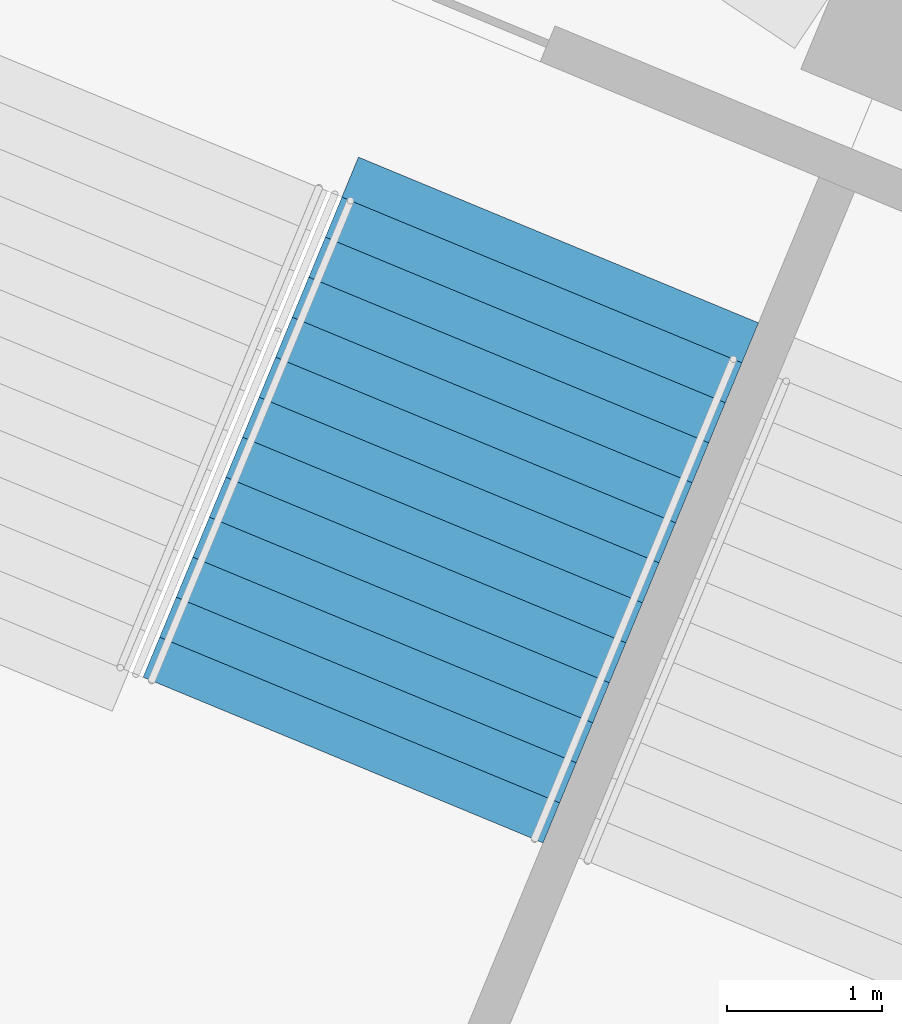
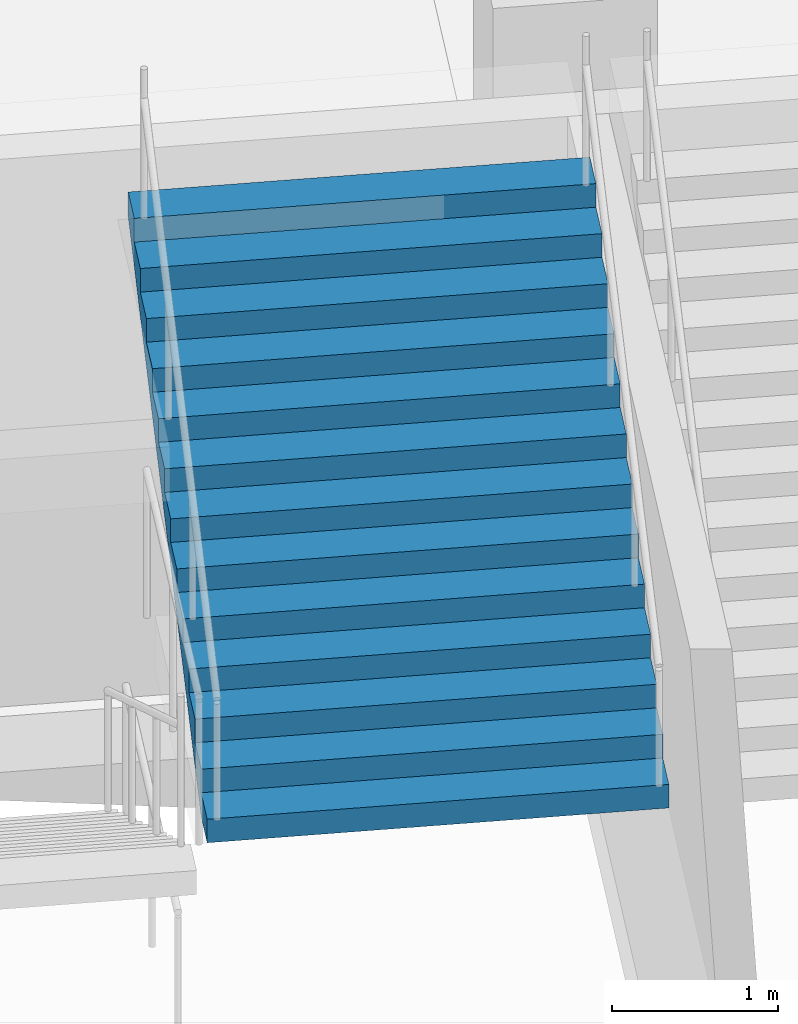
# One storey, part 133 of 249: 1 stair flight, 1 element without a shape of its own.
"""IFC4 building model written with IfcOpenShell, lengths in metres."""

from ifc_helpers import new_model, si_unit, direction, frame, origin, place, context, subcontext, project, spatial, faceted_brep, material, type_object, element, aggregate, save


model = new_model("IFC4")

# Units and contexts
model_context = context("Model", 3, precision=1e-05, world=origin(), true_north=direction((0.0, 1.0)))
body_context = subcontext(model_context, "Body", "Model", "MODEL_VIEW")
ifc_project = project(units=[si_unit("LENGTHUNIT", "METRE"), si_unit("AREAUNIT", "SQUARE_METRE"), si_unit("VOLUMEUNIT", "CUBIC_METRE"), si_unit("PLANEANGLEUNIT", "RADIAN"), si_unit("MASSUNIT", "GRAM", prefix="KILO")], contexts=[model_context])

# Site, building, storey
site_placement = place(None, origin())
site = spatial("IfcSite", under=ifc_project, at=site_placement, CompositionType="ELEMENT")
building_placement = place(site_placement, origin())
building = spatial("IfcBuilding", under=site, at=building_placement, Name="Ogive Plaza Stadium", CompositionType="ELEMENT")
storey_placement = place(building_placement, frame((0.0, 0.0, 13.5)))
storey = spatial("IfcBuildingStorey", under=building, at=storey_placement, Name="L03", CompositionType="ELEMENT", Elevation=13.5)

# Stair, stair flight
ifc_material_1 = material(Name="Concrete C40/50", Category="concrete")
stair_type = type_object("IfcStairType", Name="Exit stair", PredefinedType="STRAIGHT_RUN_STAIR", material=ifc_material_1)
stair_placement = place(storey_placement, origin())
stair = element("IfcStair", 1, at=stair_placement, inside=storey, type_object=stair_type, Name="Exit stair ST18A L03 to L04", PredefinedType="STRAIGHT_RUN_STAIR")
ifc_material_2 = material(Name="Concrete C40/50", Category="concrete")
stair_flight_type = type_object("IfcStairFlightType", Name="Exit stair flight", PredefinedType="STRAIGHT", material=ifc_material_2)
stair_flight_placement = place(storey_placement, frame((-52.9013671875, -94.14697265625, 2.25), z_axis=(0.0, 0.0, 1.0), x_axis=(0.382683432365, 0.923879532511, 0.0)))
stair_flight = element("IfcStairFlight", 2, at=stair_flight_placement, type_object=stair_flight_type, Name="ST18A flight 2", NumberOfRisers=13, NumberOfTreads=12, PredefinedType="STRAIGHT", RiserHeight=0.173076923, TreadLength=0.28, context=body_context, shape_type="Brep", body=[
    faceted_brep([(0.28515625, -1.39990234375, 0.0), (3.639892578125, -1.39990234375, 2.07373046875), (3.639892578125, -1.39990234375, 2.25), (3.360107421875, -1.39990234375, 2.25), (3.360107421875, -1.39990234375, 2.076904296875), (3.080078125, -1.39990234375, 2.076904296875), (3.080078125, -1.39990234375, 1.90380859375), (2.800048828125, -1.39990234375, 1.90380859375), (2.800048828125, -1.39990234375, 1.730712890625), (2.52001953125, -1.39990234375, 1.730712890625), (2.52001953125, -1.39990234375, 1.5576171875), (2.239990234375, -1.39990234375, 1.5576171875), (2.239990234375, -1.39990234375, 1.384521484375), (1.9599609375, -1.39990234375, 1.384521484375), (1.9599609375, -1.39990234375, 1.21142578125), (1.679931640625, -1.39990234375, 1.21142578125), (1.679931640625, -1.39990234375, 1.03857421875), (1.39990234375, -1.39990234375, 1.03857421875), (1.39990234375, -1.39990234375, 0.865478515625), (1.1201171875, -1.39990234375, 0.865478515625), (1.1201171875, -1.39990234375, 0.6923828125), (0.840087890625, -1.39990234375, 0.6923828125), (0.840087890625, -1.39990234375, 0.519287109375), (0.56005859375, -1.39990234375, 0.519287109375), (0.56005859375, -1.39990234375, 0.34619140625), (0.280029296875, -1.39990234375, 0.34619140625), (0.280029296875, -1.39990234375, 0.173095703125), (0.0, -1.39990234375, 0.173095703125), (0.0, -1.39990234375, 0.0), (0.0, 1.39990234375, 0.0), (0.0, 1.39990234375, 0.173095703125), (0.280029296875, 1.39990234375, 0.173095703125), (0.280029296875, 1.39990234375, 0.34619140625), (0.56005859375, 1.39990234375, 0.34619140625), (0.56005859375, 1.39990234375, 0.519287109375), (0.840087890625, 1.39990234375, 0.519287109375), (0.840087890625, 1.39990234375, 0.6923828125), (1.1201171875, 1.39990234375, 0.6923828125), (1.1201171875, 1.39990234375, 0.865478515625), (1.39990234375, 1.39990234375, 0.865478515625), (1.39990234375, 1.39990234375, 1.03857421875), (1.679931640625, 1.39990234375, 1.03857421875), (1.679931640625, 1.39990234375, 1.21142578125), (1.9599609375, 1.39990234375, 1.21142578125), (1.9599609375, 1.39990234375, 1.384521484375), (2.239990234375, 1.39990234375, 1.384521484375), (2.239990234375, 1.39990234375, 1.5576171875), (2.52001953125, 1.39990234375, 1.5576171875), (2.52001953125, 1.39990234375, 1.730712890625), (2.800048828125, 1.39990234375, 1.730712890625), (2.800048828125, 1.39990234375, 1.90380859375), (3.080078125, 1.39990234375, 1.90380859375), (3.080078125, 1.39990234375, 2.076904296875), (3.360107421875, 1.39990234375, 2.076904296875), (3.360107421875, 1.39990234375, 2.25), (3.639892578125, 1.39990234375, 2.25), (3.639892578125, 1.39990234375, 2.07373046875), (0.28515625, 1.39990234375, 0.0), (0.28515625, -1.0888671875, 0.0), (3.639892578125, -1.0888671875, 2.07373046875), (0.28515625, -0.77783203125, 0.0), (3.639892578125, -0.77783203125, 2.07373046875), (0.28515625, -0.466796875, 0.0), (3.639892578125, -0.466796875, 2.07373046875), (0.28515625, -0.155517578125, 0.0), (3.639892578125, -0.155517578125, 2.07373046875), (0.28515625, 0.155517578125, 0.0), (3.639892578125, 0.155517578125, 2.07373046875), (0.28515625, 0.466796875, 0.0), (3.639892578125, 0.466796875, 2.07373046875), (0.28515625, 0.77783203125, 0.0), (3.639892578125, 0.77783203125, 2.07373046875), (0.28515625, 1.0888671875, 0.0), (3.639892578125, 1.0888671875, 2.07373046875), (3.639892578125, -1.0888671875, 2.25), (3.639892578125, -0.77783203125, 2.25), (3.639892578125, -0.466796875, 2.25), (3.639892578125, -0.155517578125, 2.25), (3.639892578125, 0.155517578125, 2.25), (3.639892578125, 0.466796875, 2.25), (3.639892578125, 0.77783203125, 2.25), (3.639892578125, 1.0888671875, 2.25), (3.360107421875, -1.0888671875, 2.25), (3.360107421875, -0.77783203125, 2.25), (3.360107421875, -0.466796875, 2.25), (3.360107421875, -0.155517578125, 2.25), (3.360107421875, 0.155517578125, 2.25), (3.360107421875, 0.466796875, 2.25), (3.360107421875, 0.77783203125, 2.25), (3.360107421875, 1.0888671875, 2.25), (3.360107421875, -1.0888671875, 2.076904296875), (3.360107421875, -0.77783203125, 2.076904296875), (3.360107421875, -0.466796875, 2.076904296875), (3.360107421875, -0.155517578125, 2.076904296875), (3.360107421875, 0.155517578125, 2.076904296875), (3.360107421875, 0.466796875, 2.076904296875), (3.360107421875, 0.77783203125, 2.076904296875), (3.360107421875, 1.0888671875, 2.076904296875), (3.080078125, -1.0888671875, 2.076904296875), (3.080078125, -0.77783203125, 2.076904296875), (3.080078125, -0.466796875, 2.076904296875), (3.080078125, -0.155517578125, 2.076904296875), (3.080078125, 0.155517578125, 2.076904296875), (3.080078125, 0.466796875, 2.076904296875), (3.080078125, 0.77783203125, 2.076904296875), (3.080078125, 1.0888671875, 2.076904296875), (3.080078125, -1.0888671875, 1.90380859375), (3.080078125, -0.77783203125, 1.90380859375), (3.080078125, -0.466796875, 1.90380859375), (3.080078125, -0.155517578125, 1.90380859375), (3.080078125, 0.155517578125, 1.90380859375), (3.080078125, 0.466796875, 1.90380859375), (3.080078125, 0.77783203125, 1.90380859375), (3.080078125, 1.0888671875, 1.90380859375), (2.800048828125, -1.0888671875, 1.90380859375), (2.800048828125, -0.77783203125, 1.90380859375), (2.800048828125, -0.466796875, 1.90380859375), (2.800048828125, -0.155517578125, 1.90380859375), (2.800048828125, 0.155517578125, 1.90380859375), (2.800048828125, 0.466796875, 1.90380859375), (2.800048828125, 0.77783203125, 1.90380859375), (2.800048828125, 1.0888671875, 1.90380859375), (2.800048828125, -1.0888671875, 1.730712890625), (2.800048828125, -0.77783203125, 1.730712890625), (2.800048828125, -0.466796875, 1.730712890625), (2.800048828125, -0.155517578125, 1.730712890625), (2.800048828125, 0.155517578125, 1.730712890625), (2.800048828125, 0.466796875, 1.730712890625), (2.800048828125, 0.77783203125, 1.730712890625), (2.800048828125, 1.0888671875, 1.730712890625), (2.52001953125, -1.0888671875, 1.730712890625), (2.52001953125, -0.77783203125, 1.730712890625), (2.52001953125, -0.466796875, 1.730712890625), (2.52001953125, -0.155517578125, 1.730712890625), (2.52001953125, 0.155517578125, 1.730712890625), (2.52001953125, 0.466796875, 1.730712890625), (2.52001953125, 0.77783203125, 1.730712890625), (2.52001953125, 1.0888671875, 1.730712890625), (2.52001953125, -1.0888671875, 1.5576171875), (2.52001953125, -0.77783203125, 1.5576171875), (2.52001953125, -0.466796875, 1.5576171875), (2.52001953125, -0.155517578125, 1.5576171875), (2.52001953125, 0.155517578125, 1.5576171875), (2.52001953125, 0.466796875, 1.5576171875), (2.52001953125, 0.77783203125, 1.5576171875), (2.52001953125, 1.0888671875, 1.5576171875), (2.239990234375, -1.0888671875, 1.5576171875), (2.239990234375, -0.77783203125, 1.5576171875), (2.239990234375, -0.466796875, 1.5576171875), (2.239990234375, -0.155517578125, 1.5576171875), (2.239990234375, 0.155517578125, 1.5576171875), (2.239990234375, 0.466796875, 1.5576171875), (2.239990234375, 0.77783203125, 1.5576171875), (2.239990234375, 1.0888671875, 1.5576171875), (2.239990234375, -1.0888671875, 1.384521484375), (2.239990234375, -0.77783203125, 1.384521484375), (2.239990234375, -0.466796875, 1.384521484375), (2.239990234375, -0.155517578125, 1.384521484375), (2.239990234375, 0.155517578125, 1.384521484375), (2.239990234375, 0.466796875, 1.384521484375), (2.239990234375, 0.77783203125, 1.384521484375), (2.239990234375, 1.0888671875, 1.384521484375), (1.9599609375, -1.0888671875, 1.384521484375), (1.9599609375, -0.77783203125, 1.384521484375), (1.9599609375, -0.466796875, 1.384521484375), (1.9599609375, -0.155517578125, 1.384521484375), (1.9599609375, 0.155517578125, 1.384521484375), (1.9599609375, 0.466796875, 1.384521484375), (1.9599609375, 0.77783203125, 1.384521484375), (1.9599609375, 1.0888671875, 1.384521484375), (1.9599609375, -1.0888671875, 1.21142578125), (1.9599609375, -0.77783203125, 1.21142578125), (1.9599609375, -0.466796875, 1.21142578125), (1.9599609375, -0.155517578125, 1.21142578125), (1.9599609375, 0.155517578125, 1.21142578125), (1.9599609375, 0.466796875, 1.21142578125), (1.9599609375, 0.77783203125, 1.21142578125), (1.9599609375, 1.0888671875, 1.21142578125), (1.679931640625, -1.0888671875, 1.21142578125), (1.679931640625, -0.77783203125, 1.21142578125), (1.679931640625, -0.466796875, 1.21142578125), (1.679931640625, -0.155517578125, 1.21142578125), (1.679931640625, 0.155517578125, 1.21142578125), (1.679931640625, 0.466796875, 1.21142578125), (1.679931640625, 0.77783203125, 1.21142578125), (1.679931640625, 1.0888671875, 1.21142578125), (1.679931640625, -1.0888671875, 1.03857421875), (1.679931640625, -0.77783203125, 1.03857421875), (1.679931640625, -0.466796875, 1.03857421875), (1.679931640625, -0.155517578125, 1.03857421875), (1.679931640625, 0.155517578125, 1.03857421875), (1.679931640625, 0.466796875, 1.03857421875), (1.679931640625, 0.77783203125, 1.03857421875), (1.679931640625, 1.0888671875, 1.03857421875), (1.39990234375, -1.0888671875, 1.03857421875), (1.39990234375, -0.77783203125, 1.03857421875), (1.39990234375, -0.466796875, 1.03857421875), (1.39990234375, -0.155517578125, 1.03857421875), (1.39990234375, 0.155517578125, 1.03857421875), (1.39990234375, 0.466796875, 1.03857421875), (1.39990234375, 0.77783203125, 1.03857421875), (1.39990234375, 1.0888671875, 1.03857421875), (1.39990234375, -1.0888671875, 0.865478515625), (1.39990234375, -0.77783203125, 0.865478515625), (1.39990234375, -0.466796875, 0.865478515625), (1.39990234375, -0.155517578125, 0.865478515625), (1.39990234375, 0.155517578125, 0.865478515625), (1.39990234375, 0.466796875, 0.865478515625), (1.39990234375, 0.77783203125, 0.865478515625), (1.39990234375, 1.0888671875, 0.865478515625), (1.1201171875, -1.0888671875, 0.865478515625), (1.1201171875, -0.77783203125, 0.865478515625), (1.1201171875, -0.466796875, 0.865478515625), (1.1201171875, -0.155517578125, 0.865478515625), (1.1201171875, 0.155517578125, 0.865478515625), (1.1201171875, 0.466796875, 0.865478515625), (1.1201171875, 0.77783203125, 0.865478515625), (1.1201171875, 1.0888671875, 0.865478515625), (1.1201171875, -1.0888671875, 0.6923828125), (1.1201171875, -0.77783203125, 0.6923828125), (1.1201171875, -0.466796875, 0.6923828125), (1.1201171875, -0.155517578125, 0.6923828125), (1.1201171875, 0.155517578125, 0.6923828125), (1.1201171875, 0.466796875, 0.6923828125), (1.1201171875, 0.77783203125, 0.6923828125), (1.1201171875, 1.0888671875, 0.6923828125), (0.840087890625, -1.0888671875, 0.6923828125), (0.840087890625, -0.77783203125, 0.6923828125), (0.840087890625, -0.466796875, 0.6923828125), (0.840087890625, -0.155517578125, 0.6923828125), (0.840087890625, 0.155517578125, 0.6923828125), (0.840087890625, 0.466796875, 0.6923828125), (0.840087890625, 0.77783203125, 0.6923828125), (0.840087890625, 1.0888671875, 0.6923828125), (0.840087890625, -1.0888671875, 0.519287109375), (0.840087890625, -0.77783203125, 0.519287109375), (0.840087890625, -0.466796875, 0.519287109375), (0.840087890625, -0.155517578125, 0.519287109375), (0.840087890625, 0.155517578125, 0.519287109375), (0.840087890625, 0.466796875, 0.519287109375), (0.840087890625, 0.77783203125, 0.519287109375), (0.840087890625, 1.0888671875, 0.519287109375), (0.56005859375, -1.0888671875, 0.519287109375), (0.56005859375, -0.77783203125, 0.519287109375), (0.56005859375, -0.466796875, 0.519287109375), (0.56005859375, -0.155517578125, 0.519287109375), (0.56005859375, 0.155517578125, 0.519287109375), (0.56005859375, 0.466796875, 0.519287109375), (0.56005859375, 0.77783203125, 0.519287109375), (0.56005859375, 1.0888671875, 0.519287109375), (0.56005859375, -1.0888671875, 0.34619140625), (0.56005859375, -0.77783203125, 0.34619140625), (0.56005859375, -0.466796875, 0.34619140625), (0.56005859375, -0.155517578125, 0.34619140625), (0.56005859375, 0.155517578125, 0.34619140625), (0.56005859375, 0.466796875, 0.34619140625), (0.56005859375, 0.77783203125, 0.34619140625), (0.56005859375, 1.0888671875, 0.34619140625), (0.280029296875, -1.0888671875, 0.34619140625), (0.280029296875, -0.77783203125, 0.34619140625), (0.280029296875, -0.466796875, 0.34619140625), (0.280029296875, -0.155517578125, 0.34619140625), (0.280029296875, 0.155517578125, 0.34619140625), (0.280029296875, 0.466796875, 0.34619140625), (0.280029296875, 0.77783203125, 0.34619140625), (0.280029296875, 1.0888671875, 0.34619140625), (0.280029296875, -1.0888671875, 0.173095703125), (0.280029296875, -0.77783203125, 0.173095703125), (0.280029296875, -0.466796875, 0.173095703125), (0.280029296875, -0.155517578125, 0.173095703125), (0.280029296875, 0.155517578125, 0.173095703125), (0.280029296875, 0.466796875, 0.173095703125), (0.280029296875, 0.77783203125, 0.173095703125), (0.280029296875, 1.0888671875, 0.173095703125), (0.0, -1.0888671875, 0.173095703125), (0.0, -0.77783203125, 0.173095703125), (0.0, -0.466796875, 0.173095703125), (0.0, -0.155517578125, 0.173095703125), (0.0, 0.155517578125, 0.173095703125), (0.0, 0.466796875, 0.173095703125), (0.0, 0.77783203125, 0.173095703125), (0.0, 1.0888671875, 0.173095703125), (0.0, -1.0888671875, 0.0), (0.0, -0.77783203125, 0.0), (0.0, -0.466796875, 0.0), (0.0, -0.155517578125, 0.0), (0.0, 0.155517578125, 0.0), (0.0, 0.466796875, 0.0), (0.0, 0.77783203125, 0.0), (0.0, 1.0888671875, 0.0)], [[[0, 1, 2, 3, 4, 5, 6, 7, 8, 9, 10, 11, 12, 13, 14, 15, 16, 17, 18, 19, 20, 21, 22, 23, 24, 25, 26, 27, 28]], [[29, 30, 31, 32, 33, 34, 35, 36, 37, 38, 39, 40, 41, 42, 43, 44, 45, 46, 47, 48, 49, 50, 51, 52, 53, 54, 55, 56, 57]], [[0, 58, 59, 1]], [[58, 60, 61, 59]], [[60, 62, 63, 61]], [[62, 64, 65, 63]], [[64, 66, 67, 65]], [[66, 68, 69, 67]], [[68, 70, 71, 69]], [[70, 72, 73, 71]], [[72, 57, 56, 73]], [[1, 59, 74, 2]], [[59, 61, 75, 74]], [[61, 63, 76, 75]], [[63, 65, 77, 76]], [[65, 67, 78, 77]], [[67, 69, 79, 78]], [[69, 71, 80, 79]], [[71, 73, 81, 80]], [[73, 56, 55, 81]], [[2, 74, 82, 3]], [[74, 75, 83, 82]], [[75, 76, 84, 83]], [[76, 77, 85, 84]], [[77, 78, 86, 85]], [[78, 79, 87, 86]], [[79, 80, 88, 87]], [[80, 81, 89, 88]], [[81, 55, 54, 89]], [[3, 82, 90, 4]], [[82, 83, 91, 90]], [[83, 84, 92, 91]], [[84, 85, 93, 92]], [[85, 86, 94, 93]], [[86, 87, 95, 94]], [[87, 88, 96, 95]], [[88, 89, 97, 96]], [[89, 54, 53, 97]], [[4, 90, 98, 5]], [[90, 91, 99, 98]], [[91, 92, 100, 99]], [[92, 93, 101, 100]], [[93, 94, 102, 101]], [[94, 95, 103, 102]], [[95, 96, 104, 103]], [[96, 97, 105, 104]], [[97, 53, 52, 105]], [[5, 98, 106, 6]], [[98, 99, 107, 106]], [[99, 100, 108, 107]], [[100, 101, 109, 108]], [[101, 102, 110, 109]], [[102, 103, 111, 110]], [[103, 104, 112, 111]], [[104, 105, 113, 112]], [[105, 52, 51, 113]], [[6, 106, 114, 7]], [[106, 107, 115, 114]], [[107, 108, 116, 115]], [[108, 109, 117, 116]], [[109, 110, 118, 117]], [[110, 111, 119, 118]], [[111, 112, 120, 119]], [[112, 113, 121, 120]], [[113, 51, 50, 121]], [[7, 114, 122, 8]], [[114, 115, 123, 122]], [[115, 116, 124, 123]], [[116, 117, 125, 124]], [[117, 118, 126, 125]], [[118, 119, 127, 126]], [[119, 120, 128, 127]], [[120, 121, 129, 128]], [[121, 50, 49, 129]], [[8, 122, 130, 9]], [[122, 123, 131, 130]], [[123, 124, 132, 131]], [[124, 125, 133, 132]], [[125, 126, 134, 133]], [[126, 127, 135, 134]], [[127, 128, 136, 135]], [[128, 129, 137, 136]], [[129, 49, 48, 137]], [[9, 130, 138, 10]], [[130, 131, 139, 138]], [[131, 132, 140, 139]], [[132, 133, 141, 140]], [[133, 134, 142, 141]], [[134, 135, 143, 142]], [[135, 136, 144, 143]], [[136, 137, 145, 144]], [[137, 48, 47, 145]], [[10, 138, 146, 11]], [[138, 139, 147, 146]], [[139, 140, 148, 147]], [[140, 141, 149, 148]], [[141, 142, 150, 149]], [[142, 143, 151, 150]], [[143, 144, 152, 151]], [[144, 145, 153, 152]], [[145, 47, 46, 153]], [[11, 146, 154, 12]], [[146, 147, 155, 154]], [[147, 148, 156, 155]], [[148, 149, 157, 156]], [[149, 150, 158, 157]], [[150, 151, 159, 158]], [[151, 152, 160, 159]], [[152, 153, 161, 160]], [[153, 46, 45, 161]], [[12, 154, 162, 13]], [[154, 155, 163, 162]], [[155, 156, 164, 163]], [[156, 157, 165, 164]], [[157, 158, 166, 165]], [[158, 159, 167, 166]], [[159, 160, 168, 167]], [[160, 161, 169, 168]], [[161, 45, 44, 169]], [[13, 162, 170, 14]], [[162, 163, 171, 170]], [[163, 164, 172, 171]], [[164, 165, 173, 172]], [[165, 166, 174, 173]], [[166, 167, 175, 174]], [[167, 168, 176, 175]], [[168, 169, 177, 176]], [[169, 44, 43, 177]], [[14, 170, 178, 15]], [[170, 171, 179, 178]], [[171, 172, 180, 179]], [[172, 173, 181, 180]], [[173, 174, 182, 181]], [[174, 175, 183, 182]], [[175, 176, 184, 183]], [[176, 177, 185, 184]], [[177, 43, 42, 185]], [[15, 178, 186, 16]], [[178, 179, 187, 186]], [[179, 180, 188, 187]], [[180, 181, 189, 188]], [[181, 182, 190, 189]], [[182, 183, 191, 190]], [[183, 184, 192, 191]], [[184, 185, 193, 192]], [[185, 42, 41, 193]], [[16, 186, 194, 17]], [[186, 187, 195, 194]], [[187, 188, 196, 195]], [[188, 189, 197, 196]], [[189, 190, 198, 197]], [[190, 191, 199, 198]], [[191, 192, 200, 199]], [[192, 193, 201, 200]], [[193, 41, 40, 201]], [[17, 194, 202, 18]], [[194, 195, 203, 202]], [[195, 196, 204, 203]], [[196, 197, 205, 204]], [[197, 198, 206, 205]], [[198, 199, 207, 206]], [[199, 200, 208, 207]], [[200, 201, 209, 208]], [[201, 40, 39, 209]], [[18, 202, 210, 19]], [[202, 203, 211, 210]], [[203, 204, 212, 211]], [[204, 205, 213, 212]], [[205, 206, 214, 213]], [[206, 207, 215, 214]], [[207, 208, 216, 215]], [[208, 209, 217, 216]], [[209, 39, 38, 217]], [[19, 210, 218, 20]], [[210, 211, 219, 218]], [[211, 212, 220, 219]], [[212, 213, 221, 220]], [[213, 214, 222, 221]], [[214, 215, 223, 222]], [[215, 216, 224, 223]], [[216, 217, 225, 224]], [[217, 38, 37, 225]], [[20, 218, 226, 21]], [[218, 219, 227, 226]], [[219, 220, 228, 227]], [[220, 221, 229, 228]], [[221, 222, 230, 229]], [[222, 223, 231, 230]], [[223, 224, 232, 231]], [[224, 225, 233, 232]], [[225, 37, 36, 233]], [[21, 226, 234, 22]], [[226, 227, 235, 234]], [[227, 228, 236, 235]], [[228, 229, 237, 236]], [[229, 230, 238, 237]], [[230, 231, 239, 238]], [[231, 232, 240, 239]], [[232, 233, 241, 240]], [[233, 36, 35, 241]], [[22, 234, 242, 23]], [[234, 235, 243, 242]], [[235, 236, 244, 243]], [[236, 237, 245, 244]], [[237, 238, 246, 245]], [[238, 239, 247, 246]], [[239, 240, 248, 247]], [[240, 241, 249, 248]], [[241, 35, 34, 249]], [[23, 242, 250, 24]], [[242, 243, 251, 250]], [[243, 244, 252, 251]], [[244, 245, 253, 252]], [[245, 246, 254, 253]], [[246, 247, 255, 254]], [[247, 248, 256, 255]], [[248, 249, 257, 256]], [[249, 34, 33, 257]], [[24, 250, 258, 25]], [[250, 251, 259, 258]], [[251, 252, 260, 259]], [[252, 253, 261, 260]], [[253, 254, 262, 261]], [[254, 255, 263, 262]], [[255, 256, 264, 263]], [[256, 257, 265, 264]], [[257, 33, 32, 265]], [[25, 258, 266, 26]], [[258, 259, 267, 266]], [[259, 260, 268, 267]], [[260, 261, 269, 268]], [[261, 262, 270, 269]], [[262, 263, 271, 270]], [[263, 264, 272, 271]], [[264, 265, 273, 272]], [[265, 32, 31, 273]], [[26, 266, 274, 27]], [[266, 267, 275, 274]], [[267, 268, 276, 275]], [[268, 269, 277, 276]], [[269, 270, 278, 277]], [[270, 271, 279, 278]], [[271, 272, 280, 279]], [[272, 273, 281, 280]], [[273, 31, 30, 281]], [[27, 274, 282, 28]], [[274, 275, 283, 282]], [[275, 276, 284, 283]], [[276, 277, 285, 284]], [[277, 278, 286, 285]], [[278, 279, 287, 286]], [[279, 280, 288, 287]], [[280, 281, 289, 288]], [[281, 30, 29, 289]], [[28, 282, 58, 0]], [[282, 283, 60, 58]], [[283, 284, 62, 60]], [[284, 285, 64, 62]], [[285, 286, 66, 64]], [[286, 287, 68, 66]], [[287, 288, 70, 68]], [[288, 289, 72, 70]], [[289, 29, 57, 72]]]),
])
aggregate(stair, [stair_flight])

save(model, "model.ifc")
